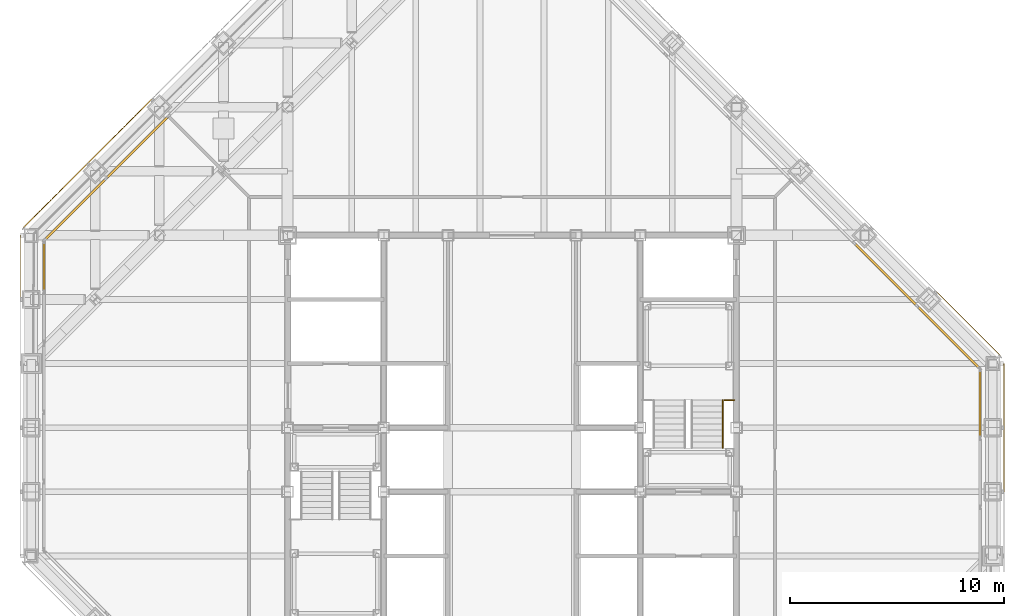
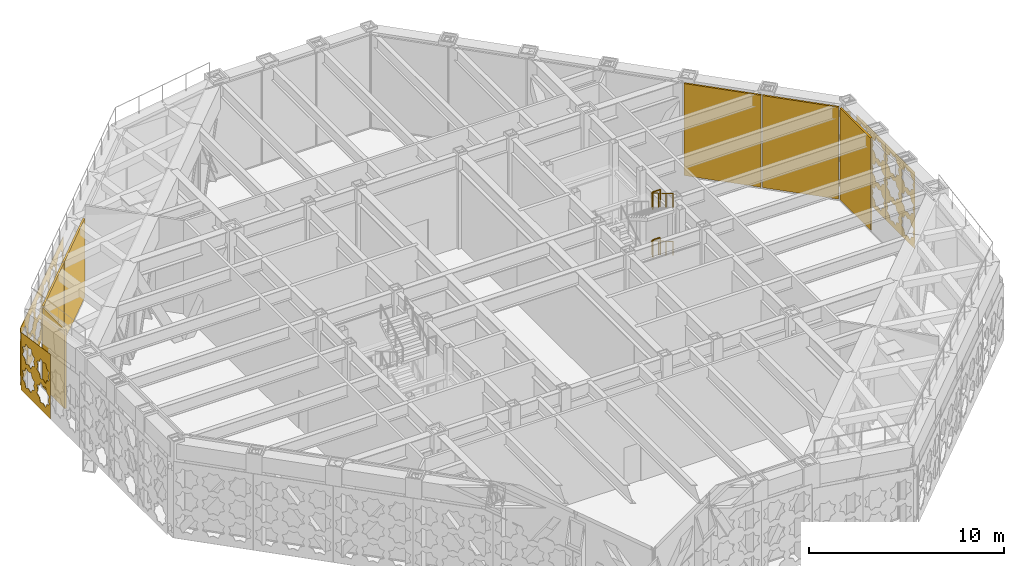
# One storey, part 26 of 29: 6 coverings, 6 shading devices, 4 railings, 4 elements without a shape of their own.
"""IFC4 building model written with IfcOpenShell, lengths in metres."""

from ifc_helpers import new_model, si_unit, direction, frame, origin, origin_2d, place, context, subcontext, project, spatial, polyline, rectangle, circle, outline, extrude, material, layer, layer_set, type_object, element, aggregate, save


model = new_model("IFC4")

# Units and contexts
model_context = context("Model", 3, precision=1e-05, world=origin(), true_north=direction((0.0, 1.0)))
body_context = subcontext(model_context, "Body", "Model", "MODEL_VIEW")
ifc_project = project(units=[si_unit("LENGTHUNIT", "METRE"), si_unit("AREAUNIT", "SQUARE_METRE"), si_unit("VOLUMEUNIT", "CUBIC_METRE"), si_unit("PLANEANGLEUNIT", "RADIAN"), si_unit("MASSUNIT", "GRAM", prefix="KILO")], contexts=[model_context])

# Site, building, storey
site_placement = place(None, origin())
site = spatial("IfcSite", under=ifc_project, at=site_placement, CompositionType="ELEMENT")
building_placement = place(site_placement, origin())
building = spatial("IfcBuilding", under=site, at=building_placement, Name="Chuquiago Exchange Tower", CompositionType="ELEMENT")
storey_placement = place(building_placement, frame((0.0, 0.0, 251.699951171875)))
storey = spatial("IfcBuildingStorey", under=building, at=storey_placement, Name="L56", CompositionType="ELEMENT", Elevation=251.699951171875)

# Curtain wall, shading device
ifc_material_1 = material(Name="Aluminium curtain wall system", Category="aluminium")
ifc_layer_1 = layer(ifc_material_1, 0.199951171875)
ifc_layer_set_1 = layer_set([ifc_layer_1], Name="CW6 plant floor louvre wall")
curtain_wall_type = type_object("IfcCurtainWallType", Name="CW6 plant floor louvre wall", PredefinedType="NOTDEFINED", material=ifc_layer_set_1)
curtain_wall_1_placement = place(storey_placement, origin())
curtain_wall_1 = element("IfcCurtainWall", 1, at=curtain_wall_1_placement, inside=storey, type_object=curtain_wall_type, Name="CW6 curtain wall L56", PredefinedType="NOTDEFINED")
ifc_material_2 = material(Name="Aluminium louvre", Category="aluminium")
ifc_layer_2 = layer(ifc_material_2, 0.10009765625)
ifc_layer_set_2 = layer_set([ifc_layer_2], Name="CW6-P louvre panel 100")
shading_device_type = type_object("IfcShadingDeviceType", Name="CW6-P louvre panel 100", PredefinedType="USERDEFINED", material=ifc_layer_set_2)
shading_device_1_placement = place(storey_placement, frame((44.39990234375, 25.115234375, 0.0751953125), z_axis=(0.0, 0.0, 1.0), x_axis=(0.0, 1.0, 0.0)))
shading_device_1 = element("IfcShadingDevice", 2, at=shading_device_1_placement, type_object=shading_device_type, Name="CW6 panel 3.1", ObjectType="LOUVER", PredefinedType="USERDEFINED", context=body_context, shape_type="SweptSolid", body=[
    extrude(rectangle(XDim=3.12255859375, YDim=0.10009765625, at=origin_2d()), origin(), (0.0, 0.0, 1.0), 5.764892578125),
])
aggregate(curtain_wall_1, [shading_device_1])

# Curtain wall, shading devices
curtain_wall_2_placement = place(storey_placement, origin())
curtain_wall_2 = element("IfcCurtainWall", 3, at=curtain_wall_2_placement, inside=storey, type_object=curtain_wall_type, Name="CW6 curtain wall L56", PredefinedType="NOTDEFINED")
shading_device_2_placement = place(storey_placement, frame((42.916015625, 28.2353515625, 0.0751953125), z_axis=(0.0, 0.0, 1.0), x_axis=(-0.707106781187, 0.707106781187, 0.0)))
shading_device_2 = element("IfcShadingDevice", 4, at=shading_device_2_placement, type_object=shading_device_type, Name="CW6 panel 1.1", ObjectType="LOUVER", PredefinedType="USERDEFINED", context=body_context, shape_type="SweptSolid", body=[
    extrude(rectangle(XDim=4.04736328125, YDim=0.10009765625, at=origin_2d()), origin(), (0.0, 0.0, 1.0), 5.764892578125),
])
shading_device_3_placement = place(storey_placement, frame((39.98779296875, 31.16357421875, 0.0751953125), z_axis=(0.0, 0.0, 1.0), x_axis=(-0.707106781187, 0.707106781187, 0.0)))
shading_device_3 = element("IfcShadingDevice", 5, at=shading_device_3_placement, type_object=shading_device_type, Name="CW6 panel 2.1", ObjectType="LOUVER", PredefinedType="USERDEFINED", context=body_context, shape_type="SweptSolid", body=[
    extrude(rectangle(XDim=4.084716796875, YDim=0.10009765625, at=origin_2d()), origin(), (0.0, 0.0, 1.0), 5.764892578125),
])
aggregate(curtain_wall_2, [shading_device_2, shading_device_3])

curtain_wall_3_placement = place(storey_placement, origin())
curtain_wall_3 = element("IfcCurtainWall", 6, at=curtain_wall_3_placement, inside=storey, type_object=curtain_wall_type, Name="CW6 curtain wall L56", PredefinedType="NOTDEFINED")
shading_device_4_placement = place(storey_placement, frame((4.96826171875, 37.11962890625, 0.074951171875), z_axis=(0.0, 0.0, 1.0), x_axis=(-0.707106781187, -0.707106781187, 0.0)))
shading_device_4 = element("IfcShadingDevice", 7, at=shading_device_4_placement, type_object=shading_device_type, Name="CW6 panel 3.1", ObjectType="LOUVER", PredefinedType="USERDEFINED", context=body_context, shape_type="SweptSolid", body=[
    extrude(rectangle(XDim=4.04345703125, YDim=0.10009765625, at=origin_2d()), origin(), (0.0, 0.0, 1.0), 4.9462890625),
])
shading_device_5_placement = place(storey_placement, frame((2.0693359375, 34.220703125, 0.074951171875), z_axis=(0.0, 0.0, 1.0), x_axis=(-0.707106781187, -0.707106781187, 0.0)))
shading_device_5 = element("IfcShadingDevice", 8, at=shading_device_5_placement, type_object=shading_device_type, Name="CW6 panel 4.1", ObjectType="LOUVER", PredefinedType="USERDEFINED", context=body_context, shape_type="SweptSolid", body=[
    extrude(rectangle(XDim=4.005859375, YDim=0.10009765625, at=origin_2d()), origin(), (0.0, 0.0, 1.0), 4.9462890625),
])
aggregate(curtain_wall_3, [shading_device_4, shading_device_5])

# Curtain wall, shading device
curtain_wall_4_placement = place(storey_placement, origin())
curtain_wall_4 = element("IfcCurtainWall", 9, at=curtain_wall_4_placement, inside=storey, type_object=curtain_wall_type, Name="CW6 curtain wall L56", PredefinedType="NOTDEFINED")
shading_device_6_placement = place(storey_placement, frame((0.60009765625, 31.533203125, 0.074951171875), z_axis=(0.0, 0.0, 1.0), x_axis=(0.0, -1.0, 0.0)))
shading_device_6 = element("IfcShadingDevice", 10, at=shading_device_6_placement, type_object=shading_device_type, Name="CW6 panel 1.1", ObjectType="LOUVER", PredefinedType="USERDEFINED", context=body_context, shape_type="SweptSolid", body=[
    extrude(rectangle(XDim=2.286376953125, YDim=0.10009765625, at=origin_2d()), origin(), (0.0, 0.0, 1.0), 4.9462890625),
])
aggregate(curtain_wall_4, [shading_device_6])

# Coverings
ifc_material_3 = material(Name="Anodised aluminium, pale", Category="aluminium")
ifc_layer_3 = layer(ifc_material_3, 0.02001953125)
ifc_layer_set_3 = layer_set([ifc_layer_3], Name="GC1 girih cladding panel 20")
covering_type_1 = type_object("IfcCoveringType", Name="GC1 girih cladding panel 20", PredefinedType="CLADDING", material=ifc_layer_set_3)
covering_1_placement = place(storey_placement, frame((45.5, 21.0048828125, 0.050048828125), z_axis=(0.0, 0.0, 1.0), x_axis=(0.0, 1.0, 0.0)))
element("IfcCovering", 11, at=covering_1_placement, inside=storey, type_object=covering_type_1, Name="Girih cladding panel L56 E 4", PredefinedType="CLADDING", context=body_context, shape_type="SweptSolid", body=[
    extrude(outline(polyline([(0.0, 0.0), (2.989990234375, 0.0), (2.989990234375, 4.7900390625), (0.0, 4.7900390625), (0.0, 0.0)]), holes=[polyline([(1.27392578125, 0.89990234375), (1.3828125, 1.1630859375), (1.11962890625, 1.272216796875), (1.0107421875, 1.535400390625), (0.74755859375, 1.426513671875), (0.484375, 1.535400390625), (0.375244140625, 1.272216796875), (0.112060546875, 1.1630859375), (0.22119140625, 0.89990234375), (0.112060546875, 0.63671875), (0.375244140625, 0.52783203125), (0.484375, 0.2646484375), (0.74755859375, 0.37353515625), (1.0107421875, 0.2646484375), (1.11962890625, 0.52783203125), (1.3828125, 0.63671875), (1.27392578125, 0.89990234375)]), polyline([(2.768798828125, 0.89990234375), (2.8779296875, 1.1630859375), (2.61474609375, 1.272216796875), (2.505615234375, 1.535400390625), (2.242431640625, 1.426513671875), (1.979248046875, 1.535400390625), (1.870361328125, 1.272216796875), (1.607177734375, 1.1630859375), (1.716064453125, 0.89990234375), (1.607177734375, 0.63671875), (1.870361328125, 0.52783203125), (1.979248046875, 0.2646484375), (2.242431640625, 0.37353515625), (2.505615234375, 0.2646484375), (2.61474609375, 0.52783203125), (2.8779296875, 0.63671875), (2.768798828125, 0.89990234375)]), polyline([(1.27392578125, 2.39501953125), (1.3828125, 2.658203125), (1.11962890625, 2.76708984375), (1.0107421875, 3.030517578125), (0.74755859375, 2.92138671875), (0.484375, 3.030517578125), (0.375244140625, 2.76708984375), (0.112060546875, 2.658203125), (0.22119140625, 2.39501953125), (0.112060546875, 2.1318359375), (0.375244140625, 2.022705078125), (0.484375, 1.759521484375), (0.74755859375, 1.86865234375), (1.0107421875, 1.759521484375), (1.11962890625, 2.022705078125), (1.3828125, 2.1318359375), (1.27392578125, 2.39501953125)]), polyline([(2.768798828125, 2.39501953125), (2.8779296875, 2.658203125), (2.61474609375, 2.76708984375), (2.505615234375, 3.030517578125), (2.242431640625, 2.92138671875), (1.979248046875, 3.030517578125), (1.870361328125, 2.76708984375), (1.607177734375, 2.658203125), (1.716064453125, 2.39501953125), (1.607177734375, 2.1318359375), (1.870361328125, 2.022705078125), (1.979248046875, 1.759521484375), (2.242431640625, 1.86865234375), (2.505615234375, 1.759521484375), (2.61474609375, 2.022705078125), (2.8779296875, 2.1318359375), (2.768798828125, 2.39501953125)]), polyline([(1.27392578125, 3.889892578125), (1.3828125, 4.1533203125), (1.11962890625, 4.26220703125), (1.0107421875, 4.525390625), (0.74755859375, 4.41650390625), (0.484375, 4.525390625), (0.375244140625, 4.26220703125), (0.112060546875, 4.1533203125), (0.22119140625, 3.889892578125), (0.112060546875, 3.626708984375), (0.375244140625, 3.517822265625), (0.484375, 3.254638671875), (0.74755859375, 3.363525390625), (1.0107421875, 3.254638671875), (1.11962890625, 3.517822265625), (1.3828125, 3.626708984375), (1.27392578125, 3.889892578125)]), polyline([(2.768798828125, 3.889892578125), (2.8779296875, 4.1533203125), (2.61474609375, 4.26220703125), (2.505615234375, 4.525390625), (2.242431640625, 4.41650390625), (1.979248046875, 4.525390625), (1.870361328125, 4.26220703125), (1.607177734375, 4.1533203125), (1.716064453125, 3.889892578125), (1.607177734375, 3.626708984375), (1.870361328125, 3.517822265625), (1.979248046875, 3.254638671875), (2.242431640625, 3.363525390625), (2.505615234375, 3.254638671875), (2.61474609375, 3.517822265625), (2.8779296875, 3.626708984375), (2.768798828125, 3.889892578125)])]), frame((0.0, 0.0, 0.0), z_axis=(0.0, -1.0, 0.0), x_axis=(1.0, 0.0, 0.0)), (0.0, 0.0, 1.0), 0.02001953125),
])
covering_2_placement = place(storey_placement, frame((45.5, 24.0048828125, 0.050048828125), z_axis=(0.0, 0.0, 1.0), x_axis=(0.0, 1.0, 0.0)))
element("IfcCovering", 12, at=covering_2_placement, inside=storey, type_object=covering_type_1, Name="Girih cladding panel L56 E 5", PredefinedType="CLADDING", context=body_context, shape_type="SweptSolid", body=[
    extrude(outline(polyline([(0.0, 0.0), (2.989990234375, 0.0), (2.989990234375, 4.7900390625), (0.0, 4.7900390625), (0.0, 0.0)]), holes=[polyline([(1.27392578125, 0.89990234375), (1.3828125, 1.1630859375), (1.11962890625, 1.272216796875), (1.0107421875, 1.535400390625), (0.74755859375, 1.426513671875), (0.484375, 1.535400390625), (0.375244140625, 1.272216796875), (0.112060546875, 1.1630859375), (0.22119140625, 0.89990234375), (0.112060546875, 0.63671875), (0.375244140625, 0.52783203125), (0.484375, 0.2646484375), (0.74755859375, 0.37353515625), (1.0107421875, 0.2646484375), (1.11962890625, 0.52783203125), (1.3828125, 0.63671875), (1.27392578125, 0.89990234375)]), polyline([(2.768798828125, 0.89990234375), (2.8779296875, 1.1630859375), (2.61474609375, 1.272216796875), (2.505615234375, 1.535400390625), (2.242431640625, 1.426513671875), (1.979248046875, 1.535400390625), (1.870361328125, 1.272216796875), (1.607177734375, 1.1630859375), (1.716064453125, 0.89990234375), (1.607177734375, 0.63671875), (1.870361328125, 0.52783203125), (1.979248046875, 0.2646484375), (2.242431640625, 0.37353515625), (2.505615234375, 0.2646484375), (2.61474609375, 0.52783203125), (2.8779296875, 0.63671875), (2.768798828125, 0.89990234375)]), polyline([(1.27392578125, 2.39501953125), (1.3828125, 2.658203125), (1.11962890625, 2.76708984375), (1.0107421875, 3.030517578125), (0.74755859375, 2.92138671875), (0.484375, 3.030517578125), (0.375244140625, 2.76708984375), (0.112060546875, 2.658203125), (0.22119140625, 2.39501953125), (0.112060546875, 2.1318359375), (0.375244140625, 2.022705078125), (0.484375, 1.759521484375), (0.74755859375, 1.86865234375), (1.0107421875, 1.759521484375), (1.11962890625, 2.022705078125), (1.3828125, 2.1318359375), (1.27392578125, 2.39501953125)]), polyline([(2.768798828125, 2.39501953125), (2.8779296875, 2.658203125), (2.61474609375, 2.76708984375), (2.505615234375, 3.030517578125), (2.242431640625, 2.92138671875), (1.979248046875, 3.030517578125), (1.870361328125, 2.76708984375), (1.607177734375, 2.658203125), (1.716064453125, 2.39501953125), (1.607177734375, 2.1318359375), (1.870361328125, 2.022705078125), (1.979248046875, 1.759521484375), (2.242431640625, 1.86865234375), (2.505615234375, 1.759521484375), (2.61474609375, 2.022705078125), (2.8779296875, 2.1318359375), (2.768798828125, 2.39501953125)]), polyline([(1.27392578125, 3.889892578125), (1.3828125, 4.1533203125), (1.11962890625, 4.26220703125), (1.0107421875, 4.525390625), (0.74755859375, 4.41650390625), (0.484375, 4.525390625), (0.375244140625, 4.26220703125), (0.112060546875, 4.1533203125), (0.22119140625, 3.889892578125), (0.112060546875, 3.626708984375), (0.375244140625, 3.517822265625), (0.484375, 3.254638671875), (0.74755859375, 3.363525390625), (1.0107421875, 3.254638671875), (1.11962890625, 3.517822265625), (1.3828125, 3.626708984375), (1.27392578125, 3.889892578125)]), polyline([(2.768798828125, 3.889892578125), (2.8779296875, 4.1533203125), (2.61474609375, 4.26220703125), (2.505615234375, 4.525390625), (2.242431640625, 4.41650390625), (1.979248046875, 4.525390625), (1.870361328125, 4.26220703125), (1.607177734375, 4.1533203125), (1.716064453125, 3.889892578125), (1.607177734375, 3.626708984375), (1.870361328125, 3.517822265625), (1.979248046875, 3.254638671875), (2.242431640625, 3.363525390625), (2.505615234375, 3.254638671875), (2.61474609375, 3.517822265625), (2.8779296875, 3.626708984375), (2.768798828125, 3.889892578125)])]), frame((0.0, 0.0, 0.0), z_axis=(0.0, -1.0, 0.0), x_axis=(1.0, 0.0, 0.0)), (0.0, 0.0, 1.0), 0.02001953125),
])
covering_3_placement = place(storey_placement, frame((-0.5, 32.9951171875, 0.050048828125), z_axis=(0.0, 0.0, 1.0), x_axis=(0.0, -1.0, 0.0)))
element("IfcCovering", 13, at=covering_3_placement, inside=storey, type_object=covering_type_1, Name="Girih cladding panel L56 W 1", PredefinedType="CLADDING", context=body_context, shape_type="SweptSolid", body=[
    extrude(outline(polyline([(0.0, 0.0), (2.989990234375, 0.0), (2.989990234375, 4.04833984375), (0.0, 3.59912109375), (0.0, 0.0)]), holes=[polyline([(1.27392578125, 1.052001953125), (1.3828125, 1.315185546875), (1.11962890625, 1.42431640625), (1.0107421875, 1.6875), (0.74755859375, 1.578369140625), (0.484375, 1.6875), (0.375244140625, 1.42431640625), (0.112060546875, 1.315185546875), (0.22119140625, 1.052001953125), (0.112060546875, 0.788818359375), (0.375244140625, 0.6796875), (0.484375, 0.41650390625), (0.74755859375, 0.525634765625), (1.0107421875, 0.41650390625), (1.11962890625, 0.6796875), (1.3828125, 0.788818359375), (1.27392578125, 1.052001953125)]), polyline([(2.768798828125, 1.052001953125), (2.8779296875, 1.315185546875), (2.61474609375, 1.42431640625), (2.505615234375, 1.6875), (2.242431640625, 1.578369140625), (1.979248046875, 1.6875), (1.870361328125, 1.42431640625), (1.607177734375, 1.315185546875), (1.716064453125, 1.052001953125), (1.607177734375, 0.788818359375), (1.870361328125, 0.6796875), (1.979248046875, 0.41650390625), (2.242431640625, 0.525634765625), (2.505615234375, 0.41650390625), (2.61474609375, 0.6796875), (2.8779296875, 0.788818359375), (2.768798828125, 1.052001953125)]), polyline([(1.27392578125, 2.547119140625), (1.3828125, 2.810302734375), (1.11962890625, 2.919189453125), (1.0107421875, 3.182373046875), (0.74755859375, 3.073486328125), (0.484375, 3.182373046875), (0.375244140625, 2.919189453125), (0.112060546875, 2.810302734375), (0.22119140625, 2.547119140625), (0.112060546875, 2.28369140625), (0.375244140625, 2.1748046875), (0.484375, 1.91162109375), (0.74755859375, 2.0205078125), (1.0107421875, 1.91162109375), (1.11962890625, 2.1748046875), (1.3828125, 2.28369140625), (1.27392578125, 2.547119140625)]), polyline([(2.768798828125, 2.547119140625), (2.8779296875, 2.810302734375), (2.61474609375, 2.919189453125), (2.505615234375, 3.182373046875), (2.242431640625, 3.073486328125), (1.979248046875, 3.182373046875), (1.870361328125, 2.919189453125), (1.607177734375, 2.810302734375), (1.716064453125, 2.547119140625), (1.607177734375, 2.28369140625), (1.870361328125, 2.1748046875), (1.979248046875, 1.91162109375), (2.242431640625, 2.0205078125), (2.505615234375, 1.91162109375), (2.61474609375, 2.1748046875), (2.8779296875, 2.28369140625), (2.768798828125, 2.547119140625)])]), frame((0.0, 0.0, 0.0), z_axis=(0.0, -1.0, 0.0), x_axis=(1.0, 0.0, 0.0)), (0.0, 0.0, 1.0), 0.02001953125),
])
ifc_material_4 = material(Name="Anodised aluminium, pale", Category="aluminium")
ifc_layer_4 = layer(ifc_material_4, 0.02001953125)
ifc_layer_set_4 = layer_set([ifc_layer_4], Name="GC2 girih cladding panel 20")
covering_type_2 = type_object("IfcCoveringType", Name="GC2 girih cladding panel 20", PredefinedType="CLADDING", material=ifc_layer_set_4)
covering_4_placement = place(storey_placement, frame((45.35009765625, 27.357177734375, 0.050048828125), z_axis=(0.0, 0.0, 1.0), x_axis=(-0.707106781187, 0.707106781187, 0.0)))
element("IfcCovering", 14, at=covering_4_placement, inside=storey, type_object=covering_type_2, Name="Girih cladding panel L56 NE 1", PredefinedType="CLADDING", context=body_context, shape_type="SweptSolid", body=[
    extrude(outline(polyline([(0.0, 0.0), (4.232666015625, 0.0), (4.232666015625, 4.7900390625), (0.0, 4.7900390625), (0.0, 0.0)]), holes=[polyline([(1.2021484375, 0.984130859375), (1.304931640625, 1.232421875), (1.056640625, 1.33544921875), (0.953857421875, 1.583740234375), (0.70556640625, 1.480712890625), (0.45703125, 1.583740234375), (0.354248046875, 1.33544921875), (0.10595703125, 1.232421875), (0.208740234375, 0.984130859375), (0.10595703125, 0.735595703125), (0.354248046875, 0.6328125), (0.45703125, 0.384521484375), (0.705322265625, 0.4873046875), (0.953857421875, 0.384521484375), (1.056640625, 0.6328125), (1.304931640625, 0.735595703125), (1.2021484375, 0.984130859375)]), polyline([(2.613037109375, 0.984130859375), (2.7158203125, 1.232421875), (2.467529296875, 1.33544921875), (2.36474609375, 1.583740234375), (2.116455078125, 1.480712890625), (1.867919921875, 1.583740234375), (1.76513671875, 1.33544921875), (1.516845703125, 1.232421875), (1.61962890625, 0.984130859375), (1.516845703125, 0.735595703125), (1.76513671875, 0.6328125), (1.867919921875, 0.384521484375), (2.116455078125, 0.4873046875), (2.36474609375, 0.384521484375), (2.467529296875, 0.6328125), (2.7158203125, 0.735595703125), (2.613037109375, 0.984130859375)]), polyline([(4.02392578125, 0.984130859375), (4.126708984375, 1.232421875), (3.87841796875, 1.33544921875), (3.775634765625, 1.583740234375), (3.527099609375, 1.480712890625), (3.27880859375, 1.583740234375), (3.176025390625, 1.33544921875), (2.927734375, 1.232421875), (3.030517578125, 0.984130859375), (2.927734375, 0.735595703125), (3.176025390625, 0.6328125), (3.27880859375, 0.384521484375), (3.527099609375, 0.4873046875), (3.775634765625, 0.384521484375), (3.87841796875, 0.6328125), (4.126708984375, 0.735595703125), (4.02392578125, 0.984130859375)]), polyline([(1.2021484375, 2.39501953125), (1.304931640625, 2.643310546875), (1.056640625, 2.746337890625), (0.953857421875, 2.99462890625), (0.70556640625, 2.8916015625), (0.45703125, 2.99462890625), (0.354248046875, 2.746337890625), (0.10595703125, 2.643310546875), (0.208740234375, 2.39501953125), (0.10595703125, 2.146484375), (0.354248046875, 2.043701171875), (0.45703125, 1.79541015625), (0.705322265625, 1.898193359375), (0.953857421875, 1.79541015625), (1.056640625, 2.043701171875), (1.304931640625, 2.146484375), (1.2021484375, 2.39501953125)]), polyline([(2.613037109375, 2.39501953125), (2.7158203125, 2.643310546875), (2.467529296875, 2.746337890625), (2.36474609375, 2.99462890625), (2.116455078125, 2.8916015625), (1.867919921875, 2.99462890625), (1.76513671875, 2.746337890625), (1.516845703125, 2.643310546875), (1.61962890625, 2.39501953125), (1.516845703125, 2.146484375), (1.76513671875, 2.043701171875), (1.867919921875, 1.79541015625), (2.116455078125, 1.898193359375), (2.36474609375, 1.79541015625), (2.467529296875, 2.043701171875), (2.7158203125, 2.146484375), (2.613037109375, 2.39501953125)]), polyline([(4.02392578125, 2.39501953125), (4.126708984375, 2.643310546875), (3.87841796875, 2.746337890625), (3.775634765625, 2.99462890625), (3.527099609375, 2.8916015625), (3.27880859375, 2.99462890625), (3.176025390625, 2.746337890625), (2.927734375, 2.643310546875), (3.030517578125, 2.39501953125), (2.927734375, 2.146484375), (3.176025390625, 2.043701171875), (3.27880859375, 1.79541015625), (3.527099609375, 1.898193359375), (3.775634765625, 1.79541015625), (3.87841796875, 2.043701171875), (4.126708984375, 2.146484375), (4.02392578125, 2.39501953125)]), polyline([(1.2021484375, 3.805908203125), (1.304931640625, 4.05419921875), (1.056640625, 4.1572265625), (0.953857421875, 4.405517578125), (0.70556640625, 4.302490234375), (0.45703125, 4.405517578125), (0.354248046875, 4.1572265625), (0.10595703125, 4.05419921875), (0.208740234375, 3.805908203125), (0.10595703125, 3.5576171875), (0.354248046875, 3.45458984375), (0.45703125, 3.206298828125), (0.705322265625, 3.30908203125), (0.953857421875, 3.206298828125), (1.056640625, 3.45458984375), (1.304931640625, 3.5576171875), (1.2021484375, 3.805908203125)]), polyline([(2.613037109375, 3.805908203125), (2.7158203125, 4.05419921875), (2.467529296875, 4.1572265625), (2.36474609375, 4.405517578125), (2.116455078125, 4.302490234375), (1.867919921875, 4.405517578125), (1.76513671875, 4.1572265625), (1.516845703125, 4.05419921875), (1.61962890625, 3.805908203125), (1.516845703125, 3.5576171875), (1.76513671875, 3.45458984375), (1.867919921875, 3.206298828125), (2.116455078125, 3.30908203125), (2.36474609375, 3.206298828125), (2.467529296875, 3.45458984375), (2.7158203125, 3.5576171875), (2.613037109375, 3.805908203125)]), polyline([(4.02392578125, 3.805908203125), (4.126708984375, 4.05419921875), (3.87841796875, 4.1572265625), (3.775634765625, 4.405517578125), (3.527099609375, 4.302490234375), (3.27880859375, 4.405517578125), (3.176025390625, 4.1572265625), (2.927734375, 4.05419921875), (3.030517578125, 3.805908203125), (2.927734375, 3.5576171875), (3.176025390625, 3.45458984375), (3.27880859375, 3.206298828125), (3.527099609375, 3.30908203125), (3.775634765625, 3.206298828125), (3.87841796875, 3.45458984375), (4.126708984375, 3.5576171875), (4.02392578125, 3.805908203125)])]), frame((0.0, 0.0, 0.0), z_axis=(0.0, -1.0, 0.0), x_axis=(1.0, 0.0, 0.0)), (0.0, 0.0, 1.0), 0.02001953125),
])
covering_5_placement = place(storey_placement, frame((5.642822265625, 39.35009765625, 0.050048828125), z_axis=(0.0, 0.0, 1.0), x_axis=(-0.707106781187, -0.707106781187, 0.0)))
element("IfcCovering", 15, at=covering_5_placement, inside=storey, type_object=covering_type_2, Name="Girih cladding panel L56 NW 3", PredefinedType="CLADDING", context=body_context, shape_type="SweptSolid", body=[
    extrude(outline(polyline([(0.0, 0.0), (4.232666015625, 0.0), (4.232666015625, 3.59814453125), (0.0, 3.59814453125), (0.0, 0.0)]), holes=[polyline([(1.2021484375, 1.093505859375), (1.304931640625, 1.342041015625), (1.056640625, 1.44482421875), (0.953857421875, 1.693115234375), (0.70556640625, 1.59033203125), (0.45703125, 1.693115234375), (0.354248046875, 1.44482421875), (0.10595703125, 1.342041015625), (0.208740234375, 1.093505859375), (0.10595703125, 0.84521484375), (0.354248046875, 0.742431640625), (0.45703125, 0.494140625), (0.705322265625, 0.596923828125), (0.953857421875, 0.494140625), (1.056640625, 0.742431640625), (1.304931640625, 0.84521484375), (1.2021484375, 1.093505859375)]), polyline([(2.613037109375, 1.093505859375), (2.7158203125, 1.342041015625), (2.467529296875, 1.44482421875), (2.36474609375, 1.693115234375), (2.116455078125, 1.59033203125), (1.867919921875, 1.693115234375), (1.76513671875, 1.44482421875), (1.516845703125, 1.342041015625), (1.61962890625, 1.093505859375), (1.516845703125, 0.84521484375), (1.76513671875, 0.742431640625), (1.867919921875, 0.494140625), (2.116455078125, 0.596923828125), (2.36474609375, 0.494140625), (2.467529296875, 0.742431640625), (2.7158203125, 0.84521484375), (2.613037109375, 1.093505859375)]), polyline([(4.02392578125, 1.093505859375), (4.126708984375, 1.342041015625), (3.87841796875, 1.44482421875), (3.775634765625, 1.693115234375), (3.527099609375, 1.59033203125), (3.27880859375, 1.693115234375), (3.176025390625, 1.44482421875), (2.927734375, 1.342041015625), (3.030517578125, 1.093505859375), (2.927734375, 0.84521484375), (3.176025390625, 0.742431640625), (3.27880859375, 0.494140625), (3.527099609375, 0.596923828125), (3.775634765625, 0.494140625), (3.87841796875, 0.742431640625), (4.126708984375, 0.84521484375), (4.02392578125, 1.093505859375)]), polyline([(1.2021484375, 2.50439453125), (1.304931640625, 2.7529296875), (1.056640625, 2.855712890625), (0.953857421875, 3.10400390625), (0.70556640625, 3.001220703125), (0.45703125, 3.10400390625), (0.354248046875, 2.855712890625), (0.10595703125, 2.7529296875), (0.208740234375, 2.50439453125), (0.10595703125, 2.256103515625), (0.354248046875, 2.1533203125), (0.45703125, 1.905029296875), (0.705322265625, 2.0078125), (0.953857421875, 1.905029296875), (1.056640625, 2.1533203125), (1.304931640625, 2.256103515625), (1.2021484375, 2.50439453125)]), polyline([(2.613037109375, 2.50439453125), (2.7158203125, 2.7529296875), (2.467529296875, 2.855712890625), (2.36474609375, 3.10400390625), (2.116455078125, 3.001220703125), (1.867919921875, 3.10400390625), (1.76513671875, 2.855712890625), (1.516845703125, 2.7529296875), (1.61962890625, 2.50439453125), (1.516845703125, 2.256103515625), (1.76513671875, 2.1533203125), (1.867919921875, 1.905029296875), (2.116455078125, 2.0078125), (2.36474609375, 1.905029296875), (2.467529296875, 2.1533203125), (2.7158203125, 2.256103515625), (2.613037109375, 2.50439453125)]), polyline([(4.02392578125, 2.50439453125), (4.126708984375, 2.7529296875), (3.87841796875, 2.855712890625), (3.775634765625, 3.10400390625), (3.527099609375, 3.001220703125), (3.27880859375, 3.10400390625), (3.176025390625, 2.855712890625), (2.927734375, 2.7529296875), (3.030517578125, 2.50439453125), (2.927734375, 2.256103515625), (3.176025390625, 2.1533203125), (3.27880859375, 1.905029296875), (3.527099609375, 2.0078125), (3.775634765625, 1.905029296875), (3.87841796875, 2.1533203125), (4.126708984375, 2.256103515625), (4.02392578125, 2.50439453125)])]), frame((0.0, 0.0, 0.0), z_axis=(0.0, -1.0, 0.0), x_axis=(1.0, 0.0, 0.0)), (0.0, 0.0, 1.0), 0.02001953125),
])
covering_6_placement = place(storey_placement, frame((2.642822265625, 36.35009765625, 0.050048828125), z_axis=(0.0, 0.0, 1.0), x_axis=(-0.707106781187, -0.707106781187, 0.0)))
element("IfcCovering", 16, at=covering_6_placement, inside=storey, type_object=covering_type_2, Name="Girih cladding panel L56 NW 4", PredefinedType="CLADDING", context=body_context, shape_type="SweptSolid", body=[
    extrude(outline(polyline([(0.0, 0.0), (4.232666015625, 0.0), (4.232666015625, 3.59814453125), (0.0, 3.59814453125), (0.0, 0.0)]), holes=[polyline([(1.2021484375, 1.093505859375), (1.304931640625, 1.342041015625), (1.056640625, 1.44482421875), (0.953857421875, 1.693115234375), (0.70556640625, 1.59033203125), (0.45703125, 1.693115234375), (0.354248046875, 1.44482421875), (0.10595703125, 1.342041015625), (0.208740234375, 1.093505859375), (0.10595703125, 0.84521484375), (0.354248046875, 0.742431640625), (0.45703125, 0.494140625), (0.705322265625, 0.596923828125), (0.953857421875, 0.494140625), (1.056640625, 0.742431640625), (1.304931640625, 0.84521484375), (1.2021484375, 1.093505859375)]), polyline([(2.613037109375, 1.093505859375), (2.7158203125, 1.342041015625), (2.467529296875, 1.44482421875), (2.36474609375, 1.693115234375), (2.116455078125, 1.59033203125), (1.867919921875, 1.693115234375), (1.76513671875, 1.44482421875), (1.516845703125, 1.342041015625), (1.61962890625, 1.093505859375), (1.516845703125, 0.84521484375), (1.76513671875, 0.742431640625), (1.867919921875, 0.494140625), (2.116455078125, 0.596923828125), (2.36474609375, 0.494140625), (2.467529296875, 0.742431640625), (2.7158203125, 0.84521484375), (2.613037109375, 1.093505859375)]), polyline([(4.02392578125, 1.093505859375), (4.126708984375, 1.342041015625), (3.87841796875, 1.44482421875), (3.775634765625, 1.693115234375), (3.527099609375, 1.59033203125), (3.27880859375, 1.693115234375), (3.176025390625, 1.44482421875), (2.927734375, 1.342041015625), (3.030517578125, 1.093505859375), (2.927734375, 0.84521484375), (3.176025390625, 0.742431640625), (3.27880859375, 0.494140625), (3.527099609375, 0.596923828125), (3.775634765625, 0.494140625), (3.87841796875, 0.742431640625), (4.126708984375, 0.84521484375), (4.02392578125, 1.093505859375)]), polyline([(1.2021484375, 2.50439453125), (1.304931640625, 2.7529296875), (1.056640625, 2.855712890625), (0.953857421875, 3.10400390625), (0.70556640625, 3.001220703125), (0.45703125, 3.10400390625), (0.354248046875, 2.855712890625), (0.10595703125, 2.7529296875), (0.208740234375, 2.50439453125), (0.10595703125, 2.256103515625), (0.354248046875, 2.1533203125), (0.45703125, 1.905029296875), (0.705322265625, 2.0078125), (0.953857421875, 1.905029296875), (1.056640625, 2.1533203125), (1.304931640625, 2.256103515625), (1.2021484375, 2.50439453125)]), polyline([(2.613037109375, 2.50439453125), (2.7158203125, 2.7529296875), (2.467529296875, 2.855712890625), (2.36474609375, 3.10400390625), (2.116455078125, 3.001220703125), (1.867919921875, 3.10400390625), (1.76513671875, 2.855712890625), (1.516845703125, 2.7529296875), (1.61962890625, 2.50439453125), (1.516845703125, 2.256103515625), (1.76513671875, 2.1533203125), (1.867919921875, 1.905029296875), (2.116455078125, 2.0078125), (2.36474609375, 1.905029296875), (2.467529296875, 2.1533203125), (2.7158203125, 2.256103515625), (2.613037109375, 2.50439453125)]), polyline([(4.02392578125, 2.50439453125), (4.126708984375, 2.7529296875), (3.87841796875, 2.855712890625), (3.775634765625, 3.10400390625), (3.527099609375, 3.001220703125), (3.27880859375, 3.10400390625), (3.176025390625, 2.855712890625), (2.927734375, 2.7529296875), (3.030517578125, 2.50439453125), (2.927734375, 2.256103515625), (3.176025390625, 2.1533203125), (3.27880859375, 1.905029296875), (3.527099609375, 2.0078125), (3.775634765625, 1.905029296875), (3.87841796875, 2.1533203125), (4.126708984375, 2.256103515625), (4.02392578125, 2.50439453125)])]), frame((0.0, 0.0, 0.0), z_axis=(0.0, -1.0, 0.0), x_axis=(1.0, 0.0, 0.0)), (0.0, 0.0, 1.0), 0.02001953125),
])

# Railings
ifc_material_5 = material(Name="Pale metal guard with safety glass infill", Category="glass")
railing_type_1 = type_object("IfcRailingType", Name="GR1 guard 1100", PredefinedType="GUARDRAIL", material=ifc_material_5)
for number, where, name in (
    (17, (32.445068359375, 25.2900390625, 1.5), "Guard ST2 L56 landing 2"),
    (18, (32.445068359375, 25.2900390625, 4.5), "Guard ST2 L56 landing 4"),
):
    element("IfcRailing", number, at=place(storey_placement, frame(where)), inside=storey, type_object=railing_type_1, Name=name, PredefinedType="GUARDRAIL", context=body_context, shape_type="SweptSolid", body=[
        extrude(circle(Radius=0.02392578125, at=origin_2d()), frame((0.0, 0.0, 1.076171875), z_axis=(1.0, 0.0, 0.0), x_axis=(0.0, 1.0, 0.0)), (0.0, 0.0, 1.0), 0.454833984375),
        extrude(circle(Radius=0.02099609375, at=origin_2d()), origin(), (0.0, 0.0, 1.0), 1.052001953125),
        extrude(circle(Radius=0.02099609375, at=origin_2d()), frame((0.454833984375, 0.0, 0.0)), (0.0, 0.0, 1.0), 1.052001953125),
    ])
ifc_material_6 = material(Name="Pale metal handrail", Category="steel")
railing_type_2 = type_object("IfcRailingType", Name="HR1 handrail 900", PredefinedType="HANDRAIL", material=ifc_material_6)
for number, where, name in (
    (19, (32.364990234375, 25.2900390625, 1.666748046875), "Handrail ST2 L56 flight 2"),
    (20, (32.364990234375, 25.2900390625, 4.666748046875), "Handrail ST2 L56 flight 4"),
):
    element("IfcRailing", number, at=place(storey_placement, frame(where)), inside=storey, type_object=railing_type_2, Name=name, PredefinedType="HANDRAIL", context=body_context, shape_type="SweptSolid", body=[
        extrude(circle(Radius=0.02392578125, at=origin_2d()), frame((0.0, 0.0, 0.8759765625), z_axis=(0.0, -0.859305625298, 0.511462454469), x_axis=(1.0, 0.0, 0.0)), (0.0, 0.0, 1.0), 2.606689453125),
        extrude(circle(Radius=0.02099609375, at=origin_2d()), origin(), (0.0, 0.0, 1.0), 0.851806640625),
        extrude(circle(Radius=0.02099609375, at=origin_2d()), frame((0.0, -0.74658203125, 0.4443359375)), (0.0, 0.0, 1.0), 0.851806640625),
        extrude(circle(Radius=0.02099609375, at=origin_2d()), frame((0.0, -1.493408203125, 0.888916015625)), (0.0, 0.0, 1.0), 0.851806640625),
        extrude(circle(Radius=0.02099609375, at=origin_2d()), frame((0.0, -2.239990234375, 1.333251953125)), (0.0, 0.0, 1.0), 0.851806640625),
    ])

save(model, "model.ifc")
